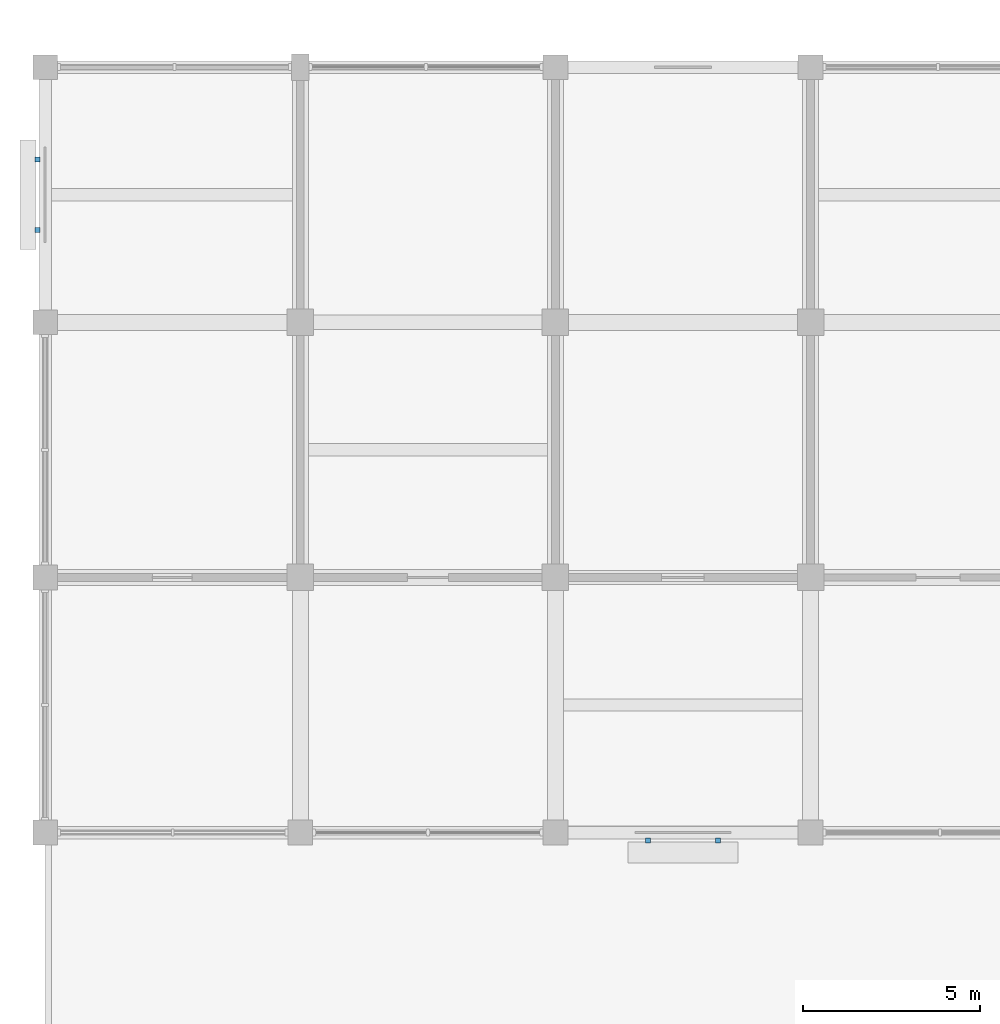
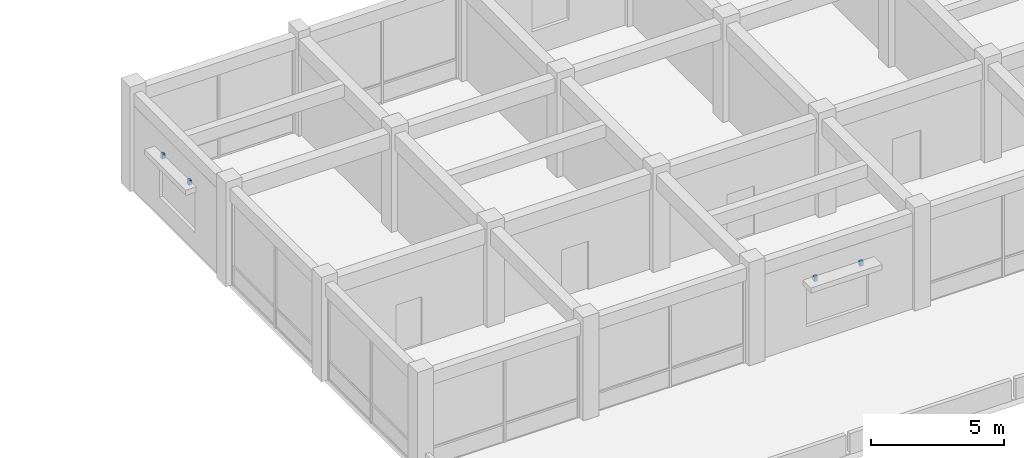
# One storey, part 27 of 30: 4 discrete accessories.
"""IFC4 building model written with IfcOpenShell, lengths in metres."""

from ifc_helpers import new_model, si_unit, direction, frame, origin, origin_2d, place, context, subcontext, project, spatial, rectangle, extrude, material, type_object, element, save


model = new_model("IFC4")

# Units and contexts
model_context = context("Model", 3, precision=1e-05, world=origin(), true_north=direction((0.0, 1.0)))
body_context = subcontext(model_context, "Body", "Model", "MODEL_VIEW")
ifc_project = project(units=[si_unit("LENGTHUNIT", "METRE"), si_unit("AREAUNIT", "SQUARE_METRE"), si_unit("VOLUMEUNIT", "CUBIC_METRE"), si_unit("PLANEANGLEUNIT", "RADIAN"), si_unit("MASSUNIT", "GRAM", prefix="KILO")], contexts=[model_context])

# Site, building, storey
site_placement = place(None, origin())
site = spatial("IfcSite", under=ifc_project, at=site_placement, CompositionType="ELEMENT")
building_placement = place(site_placement, origin())
building = spatial("IfcBuilding", under=site, at=building_placement, Name="Cendaluz Park School", CompositionType="ELEMENT")
storey_placement = place(building_placement, frame((0.0, 0.0, 9.60009765625)))
storey = spatial("IfcBuildingStorey", under=building, at=storey_placement, Name="L02", CompositionType="ELEMENT", Elevation=9.60009765625)

# Discrete accessories
ifc_material = material(Name="Steel S355", Category="steel")
discrete_accessory_type = type_object("IfcDiscreteAccessoryType", Name="BK-01", PredefinedType="BRACKET", material=ifc_material)
for number, where, z_axis, x_axis, name in (
    (1, (-0.219970703125, 24.2080078125, 2.8798828125), (0.0, 0.0, 1.0), (0.0, 1.0, 0.0), "BK-L02-095"),
    (2, (-0.219970703125, 26.19189453125, 2.8798828125), (0.0, 0.0, 1.0), (0.0, 1.0, 0.0), "BK-L02-096"),
    (3, (17.008056640625, 6.97998046875, 2.8798828125), (0.0, 0.0, 1.0), (1.0, 0.0, 0.0), "BK-L02-097"),
    (4, (18.991943359375, 6.97998046875, 2.8798828125), (0.0, 0.0, 1.0), (1.0, 0.0, 0.0), "BK-L02-098"),
):
    element("IfcDiscreteAccessory", number, at=place(storey_placement, frame(where, z_axis=z_axis, x_axis=x_axis)), inside=storey, type_object=discrete_accessory_type, Name=name, PredefinedType="BRACKET", context=body_context, shape_type="SweptSolid", body=[
        extrude(rectangle(XDim=0.139892578125, YDim=0.139892578125, at=origin_2d()), origin(), (0.0, 0.0, 1.0), 0.219970703125),
    ])

save(model, "model.ifc")
